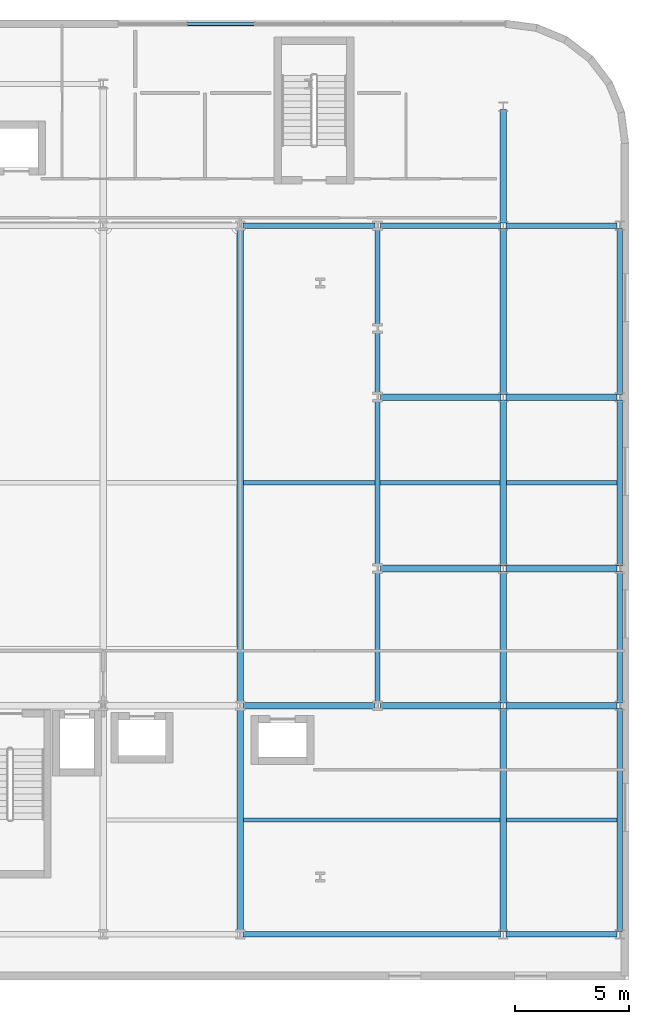
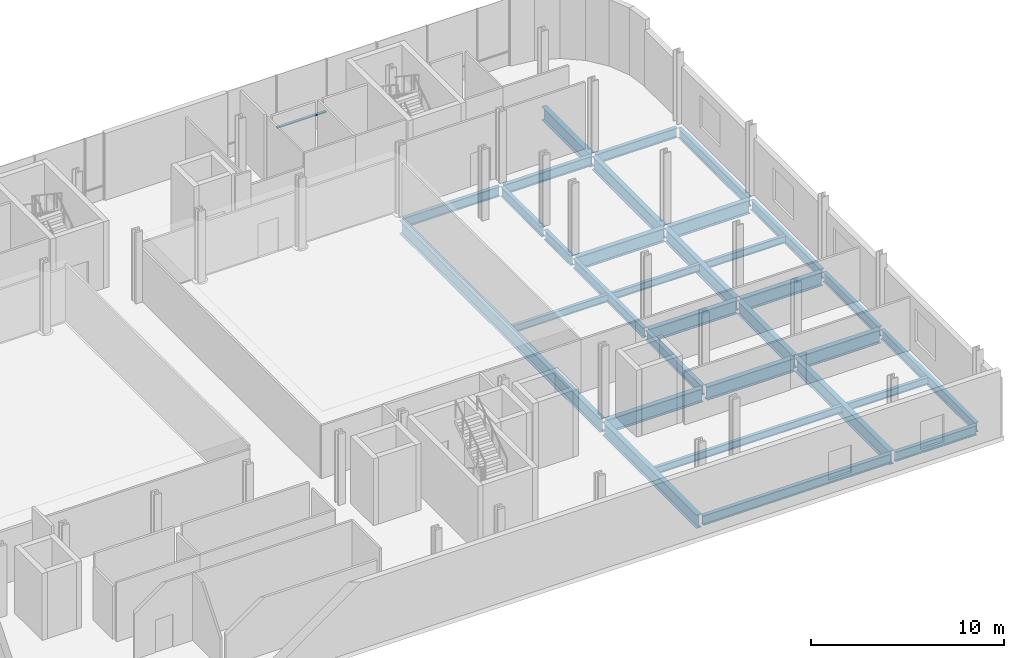
# One storey, part 12 of 25: 32 beams, 1 member, 1 element without a shape of its own.
"""IFC4 building model written with IfcOpenShell, lengths in metres."""

from ifc_helpers import new_model, si_unit, direction, frame, origin, origin_2d, place, context, subcontext, project, spatial, hollow_rectangle, i_section, extrude, material, layer, layer_set, material_profile, profile_set, type_object, element, aggregate, save


model = new_model("IFC4")

# Units and contexts
model_context = context("Model", 3, precision=1e-05, world=origin(), true_north=direction((0.0, 1.0)))
body_context = subcontext(model_context, "Body", "Model", "MODEL_VIEW")
ifc_project = project(units=[si_unit("LENGTHUNIT", "METRE"), si_unit("AREAUNIT", "SQUARE_METRE"), si_unit("VOLUMEUNIT", "CUBIC_METRE"), si_unit("PLANEANGLEUNIT", "RADIAN"), si_unit("MASSUNIT", "GRAM", prefix="KILO")], contexts=[model_context])

# Site, building, storey
site_placement = place(None, origin())
site = spatial("IfcSite", under=ifc_project, at=site_placement, CompositionType="ELEMENT")
building_placement = place(site_placement, origin())
building = spatial("IfcBuilding", under=site, at=building_placement, Name="Brevholm Reach", CompositionType="ELEMENT")
storey_placement = place(building_placement, frame((0.0, 0.0, 13.5)))
storey = spatial("IfcBuildingStorey", under=building, at=storey_placement, Name="L03", CompositionType="ELEMENT", Elevation=13.5)

# Beams
ifc_material_1 = material(Name="Structural Steel S355J2", Category="steel")
ifc_material_profile_1 = material_profile(ifc_material_1, i_section(OverallWidth=0.1904296875, OverallDepth=0.45703125, WebThickness=0.009033203125, FlangeThickness=0.014404296875, FilletRadius=0.01025390625, at=origin_2d()), Name="UKB 457x191x74")
ifc_profile_set_1 = profile_set([ifc_material_profile_1], Name="Structural Steel S355J2")
beam_type_1 = type_object("IfcBeamType", Name="BM-B457", PredefinedType="BEAM", material=ifc_profile_set_1)
beam_1_placement = place(storey_placement, frame((54.14697265625, 5.0, -0.508544921875), z_axis=(1.0, 0.0, 0.0), x_axis=(0.0, 1.0, 0.0)))
element("IfcBeam", 1, at=beam_1_placement, inside=storey, type_object=beam_type_1, Name="L03 Composite Secondary Floor Beam", PredefinedType="BEAM", context=body_context, shape_type="SweptSolid", body=[
    extrude(i_section(OverallWidth=0.1904296875, OverallDepth=0.45703125, WebThickness=0.009033203125, FlangeThickness=0.014404296875, FilletRadius=0.01025390625, at=origin_2d()), origin(), (0.0, 0.0, 1.0), 11.2060546875),
])
beam_2_placement = place(storey_placement, frame((65.64697265625, 5.0, -0.508544921875), z_axis=(1.0, 0.0, 0.0), x_axis=(0.0, 1.0, 0.0)))
element("IfcBeam", 2, at=beam_2_placement, inside=storey, type_object=beam_type_1, Name="L03 Composite Secondary Floor Beam", PredefinedType="BEAM", context=body_context, shape_type="SweptSolid", body=[
    extrude(i_section(OverallWidth=0.1904296875, OverallDepth=0.45703125, WebThickness=0.009033203125, FlangeThickness=0.014404296875, FilletRadius=0.01025390625, at=origin_2d()), origin(), (0.0, 0.0, 1.0), 4.838623046875),
])
beam_3_placement = place(storey_placement, frame((54.14697265625, 19.75, -0.508544921875), z_axis=(1.0, 0.0, 0.0), x_axis=(0.0, 1.0, 0.0)))
element("IfcBeam", 3, at=beam_3_placement, inside=storey, type_object=beam_type_1, Name="L03 Composite Secondary Floor Beam", PredefinedType="BEAM", context=body_context, shape_type="SweptSolid", body=[
    extrude(i_section(OverallWidth=0.1904296875, OverallDepth=0.45703125, WebThickness=0.009033203125, FlangeThickness=0.014404296875, FilletRadius=0.01025390625, at=origin_2d()), origin(), (0.0, 0.0, 1.0), 5.738525390625),
])
beam_4_placement = place(storey_placement, frame((60.114501953125, 19.75, -0.508544921875), z_axis=(1.0, 0.0, 0.0), x_axis=(0.0, 1.0, 0.0)))
element("IfcBeam", 4, at=beam_4_placement, inside=storey, type_object=beam_type_1, Name="L03 Composite Secondary Floor Beam", PredefinedType="BEAM", context=body_context, shape_type="SweptSolid", body=[
    extrude(i_section(OverallWidth=0.1904296875, OverallDepth=0.45703125, WebThickness=0.009033203125, FlangeThickness=0.014404296875, FilletRadius=0.01025390625, at=origin_2d()), origin(), (0.0, 0.0, 1.0), 5.238525390625),
])
beam_5_placement = place(storey_placement, frame((65.64697265625, 19.75, -0.508544921875), z_axis=(1.0, 0.0, 0.0), x_axis=(0.0, 1.0, 0.0)))
element("IfcBeam", 5, at=beam_5_placement, inside=storey, type_object=beam_type_1, Name="L03 Composite Secondary Floor Beam", PredefinedType="BEAM", context=body_context, shape_type="SweptSolid", body=[
    extrude(i_section(OverallWidth=0.1904296875, OverallDepth=0.45703125, WebThickness=0.009033203125, FlangeThickness=0.014404296875, FilletRadius=0.01025390625, at=origin_2d()), origin(), (0.0, 0.0, 1.0), 4.838623046875),
])
ifc_material_2 = material(Name="Structural Steel S355J2", Category="steel")
ifc_material_profile_2 = material_profile(ifc_material_2, i_section(OverallWidth=0.22900390625, OverallDepth=0.6123046875, WebThickness=0.011962890625, FlangeThickness=0.01953125, FilletRadius=0.0126953125, at=origin_2d()), Name="UKB 610x229x125")
ifc_profile_set_2 = profile_set([ifc_material_profile_2], Name="Structural Steel S355J2")
beam_type_2 = type_object("IfcBeamType", Name="BM-SP610", PredefinedType="SPANDREL", material=ifc_profile_set_2)
beam_6_placement = place(storey_placement, frame((54.1201171875, 0.0, -0.586181640625), z_axis=(1.0, 0.0, 0.0), x_axis=(0.0, 1.0, 0.0)))
element("IfcBeam", 6, at=beam_6_placement, inside=storey, type_object=beam_type_2, Name="L03 SP-01 Framing Beam", PredefinedType="SPANDREL", context=body_context, shape_type="SweptSolid", body=[
    extrude(i_section(OverallWidth=0.22900390625, OverallDepth=0.6123046875, WebThickness=0.011962890625, FlangeThickness=0.01953125, FilletRadius=0.0126953125, at=origin_2d()), origin(), (0.0, 0.0, 1.0), 11.259765625),
])
beam_7_placement = place(storey_placement, frame((65.6201171875, 0.0, -0.586181640625), z_axis=(1.0, 0.0, 0.0), x_axis=(0.0, 1.0, 0.0)))
element("IfcBeam", 7, at=beam_7_placement, inside=storey, type_object=beam_type_2, Name="L03 SP-01 Framing Beam", PredefinedType="SPANDREL", context=body_context, shape_type="SweptSolid", body=[
    extrude(i_section(OverallWidth=0.22900390625, OverallDepth=0.6123046875, WebThickness=0.011962890625, FlangeThickness=0.01953125, FilletRadius=0.0126953125, at=origin_2d()), origin(), (0.0, 0.0, 1.0), 4.85986328125),
])
beam_8_placement = place(storey_placement, frame((54.1201171875, 31.0, -0.586181640625), z_axis=(1.0, 0.0, 0.0), x_axis=(0.0, 1.0, 0.0)))
element("IfcBeam", 8, at=beam_8_placement, inside=storey, type_object=beam_type_2, Name="L03 SP-01 Framing Beam", PredefinedType="SPANDREL", context=body_context, shape_type="SweptSolid", body=[
    extrude(i_section(OverallWidth=0.22900390625, OverallDepth=0.6123046875, WebThickness=0.011962890625, FlangeThickness=0.01953125, FilletRadius=0.0126953125, at=origin_2d()), origin(), (0.0, 0.0, 1.0), 5.759765625),
])
beam_9_placement = place(storey_placement, frame((60.1201171875, 31.0, -0.586181640625), z_axis=(1.0, 0.0, 0.0), x_axis=(0.0, 1.0, 0.0)))
element("IfcBeam", 9, at=beam_9_placement, inside=storey, type_object=beam_type_2, Name="L03 SP-01 Framing Beam", PredefinedType="SPANDREL", context=body_context, shape_type="SweptSolid", body=[
    extrude(i_section(OverallWidth=0.22900390625, OverallDepth=0.6123046875, WebThickness=0.011962890625, FlangeThickness=0.01953125, FilletRadius=0.0126953125, at=origin_2d()), origin(), (0.0, 0.0, 1.0), 5.259765625),
])
beam_10_placement = place(storey_placement, frame((65.6201171875, 31.0, -0.586181640625), z_axis=(1.0, 0.0, 0.0), x_axis=(0.0, 1.0, 0.0)))
element("IfcBeam", 10, at=beam_10_placement, inside=storey, type_object=beam_type_2, Name="L03 SP-01 Framing Beam", PredefinedType="SPANDREL", context=body_context, shape_type="SweptSolid", body=[
    extrude(i_section(OverallWidth=0.22900390625, OverallDepth=0.6123046875, WebThickness=0.011962890625, FlangeThickness=0.01953125, FilletRadius=0.0126953125, at=origin_2d()), origin(), (0.0, 0.0, 1.0), 4.85986328125),
])
beam_11_placement = place(storey_placement, frame((60.0, 10.1201171875, -0.586181640625), z_axis=(0.0, 1.0, 0.0), x_axis=(-1.0, 0.0, 0.0)))
element("IfcBeam", 11, at=beam_11_placement, inside=storey, type_object=beam_type_2, Name="L03 SP-01 Framing Beam", PredefinedType="SPANDREL", context=body_context, shape_type="SweptSolid", body=[
    extrude(i_section(OverallWidth=0.22900390625, OverallDepth=0.6123046875, WebThickness=0.011962890625, FlangeThickness=0.01953125, FilletRadius=0.0126953125, at=origin_2d()), origin(), (0.0, 0.0, 1.0), 5.759765625),
])
beam_12_placement = place(storey_placement, frame((60.0, 16.1201171875, -0.586181640625), z_axis=(0.0, 1.0, 0.0), x_axis=(-1.0, 0.0, 0.0)))
element("IfcBeam", 12, at=beam_12_placement, inside=storey, type_object=beam_type_2, Name="L03 SP-01 Framing Beam", PredefinedType="SPANDREL", context=body_context, shape_type="SweptSolid", body=[
    extrude(i_section(OverallWidth=0.22900390625, OverallDepth=0.6123046875, WebThickness=0.011962890625, FlangeThickness=0.01953125, FilletRadius=0.0126953125, at=origin_2d()), origin(), (0.0, 0.0, 1.0), 7.259765625),
])
beam_13_placement = place(storey_placement, frame((60.0, 23.6201171875, -0.586181640625), z_axis=(0.0, 1.0, 0.0), x_axis=(-1.0, 0.0, 0.0)))
element("IfcBeam", 13, at=beam_13_placement, inside=storey, type_object=beam_type_2, Name="L03 SP-01 Framing Beam", PredefinedType="SPANDREL", context=body_context, shape_type="SweptSolid", body=[
    extrude(i_section(OverallWidth=0.22900390625, OverallDepth=0.6123046875, WebThickness=0.011962890625, FlangeThickness=0.01953125, FilletRadius=0.0126953125, at=origin_2d()), origin(), (0.0, 0.0, 1.0), 2.759765625),
])
beam_14_placement = place(storey_placement, frame((60.0, 26.6201171875, -0.586181640625), z_axis=(0.0, 1.0, 0.0), x_axis=(-1.0, 0.0, 0.0)))
element("IfcBeam", 14, at=beam_14_placement, inside=storey, type_object=beam_type_2, Name="L03 SP-01 Framing Beam", PredefinedType="SPANDREL", context=body_context, shape_type="SweptSolid", body=[
    extrude(i_section(OverallWidth=0.22900390625, OverallDepth=0.6123046875, WebThickness=0.011962890625, FlangeThickness=0.01953125, FilletRadius=0.0126953125, at=origin_2d()), origin(), (0.0, 0.0, 1.0), 4.259765625),
])
beam_15_placement = place(storey_placement, frame((70.60009765625, 0.1201171875, -0.586181640625), z_axis=(0.0, 1.0, 0.0), x_axis=(-1.0, 0.0, 0.0)))
element("IfcBeam", 15, at=beam_15_placement, inside=storey, type_object=beam_type_2, Name="L03 SP-01 Framing Beam", PredefinedType="SPANDREL", context=body_context, shape_type="SweptSolid", body=[
    extrude(i_section(OverallWidth=0.22900390625, OverallDepth=0.6123046875, WebThickness=0.011962890625, FlangeThickness=0.01953125, FilletRadius=0.0126953125, at=origin_2d()), origin(), (0.0, 0.0, 1.0), 9.759765625),
])
beam_16_placement = place(storey_placement, frame((70.60009765625, 10.1201171875, -0.586181640625), z_axis=(0.0, 1.0, 0.0), x_axis=(-1.0, 0.0, 0.0)))
element("IfcBeam", 16, at=beam_16_placement, inside=storey, type_object=beam_type_2, Name="L03 SP-01 Framing Beam", PredefinedType="SPANDREL", context=body_context, shape_type="SweptSolid", body=[
    extrude(i_section(OverallWidth=0.22900390625, OverallDepth=0.6123046875, WebThickness=0.011962890625, FlangeThickness=0.01953125, FilletRadius=0.0126953125, at=origin_2d()), origin(), (0.0, 0.0, 1.0), 5.759765625),
])
for number, where, z_axis, x_axis, name in (
    (17, (70.60009765625, 16.1201171875, -0.586181640625), (0.0, 1.0, 0.0), (-1.0, 0.0, 0.0), "L03 SP-01 Framing Beam"),
    (18, (70.60009765625, 23.6201171875, -0.586181640625), (0.0, 1.0, 0.0), (-1.0, 0.0, 0.0), "L03 SP-01 Framing Beam"),
):
    element("IfcBeam", number, at=place(storey_placement, frame(where, z_axis=z_axis, x_axis=x_axis)), inside=storey, type_object=beam_type_2, Name=name, PredefinedType="SPANDREL", context=body_context, shape_type="SweptSolid", body=[
        extrude(i_section(OverallWidth=0.22900390625, OverallDepth=0.6123046875, WebThickness=0.011962890625, FlangeThickness=0.01953125, FilletRadius=0.0126953125, at=origin_2d()), origin(), (0.0, 0.0, 1.0), 7.259765625),
    ])
ifc_material_3 = material(Name="Structural Steel S355J2", Category="steel")
ifc_material_profile_3 = material_profile(ifc_material_3, i_section(OverallWidth=0.293701171875, OverallDepth=0.850830078125, WebThickness=0.01611328125, FlangeThickness=0.02685546875, FilletRadius=0.017822265625, at=origin_2d()), Name="UKB 838x292x226")
ifc_profile_set_3 = profile_set([ifc_material_profile_3], Name="Structural Steel S355J2")
beam_type_3 = type_object("IfcBeamType", Name="BM-UKB838", PredefinedType="USERDEFINED", material=ifc_profile_set_3)
beam_17_placement = place(storey_placement, frame((54.1201171875, 10.0, -0.70556640625), z_axis=(1.0, 0.0, 0.0), x_axis=(0.0, 1.0, 0.0)))
element("IfcBeam", 19, at=beam_17_placement, inside=storey, type_object=beam_type_3, Name="L03 G-03 Framing Beam", ObjectType="GIRDER", PredefinedType="USERDEFINED", context=body_context, shape_type="SweptSolid", body=[
    extrude(i_section(OverallWidth=0.293701171875, OverallDepth=0.850830078125, WebThickness=0.01611328125, FlangeThickness=0.02685546875, FilletRadius=0.017822265625, at=origin_2d()), origin(), (0.0, 0.0, 1.0), 5.759765625),
])
beam_18_placement = place(storey_placement, frame((60.1201171875, 10.0, -0.70556640625), z_axis=(1.0, 0.0, 0.0), x_axis=(0.0, 1.0, 0.0)))
element("IfcBeam", 20, at=beam_18_placement, inside=storey, type_object=beam_type_3, Name="L03 G-03 Framing Beam", ObjectType="GIRDER", PredefinedType="USERDEFINED", context=body_context, shape_type="SweptSolid", body=[
    extrude(i_section(OverallWidth=0.293701171875, OverallDepth=0.850830078125, WebThickness=0.01611328125, FlangeThickness=0.02685546875, FilletRadius=0.017822265625, at=origin_2d()), origin(), (0.0, 0.0, 1.0), 5.259765625),
])
beam_19_placement = place(storey_placement, frame((65.6201171875, 10.0, -0.70556640625), z_axis=(1.0, 0.0, 0.0), x_axis=(0.0, 1.0, 0.0)))
element("IfcBeam", 21, at=beam_19_placement, inside=storey, type_object=beam_type_3, Name="L03 G-03 Framing Beam", ObjectType="GIRDER", PredefinedType="USERDEFINED", context=body_context, shape_type="SweptSolid", body=[
    extrude(i_section(OverallWidth=0.293701171875, OverallDepth=0.850830078125, WebThickness=0.01611328125, FlangeThickness=0.02685546875, FilletRadius=0.017822265625, at=origin_2d()), origin(), (0.0, 0.0, 1.0), 4.85986328125),
])
beam_20_placement = place(storey_placement, frame((60.1201171875, 16.0, -0.70556640625), z_axis=(1.0, 0.0, 0.0), x_axis=(0.0, 1.0, 0.0)))
element("IfcBeam", 22, at=beam_20_placement, inside=storey, type_object=beam_type_3, Name="L03 G-03 Framing Beam", ObjectType="GIRDER", PredefinedType="USERDEFINED", context=body_context, shape_type="SweptSolid", body=[
    extrude(i_section(OverallWidth=0.293701171875, OverallDepth=0.850830078125, WebThickness=0.01611328125, FlangeThickness=0.02685546875, FilletRadius=0.017822265625, at=origin_2d()), origin(), (0.0, 0.0, 1.0), 5.259765625),
])
beam_21_placement = place(storey_placement, frame((65.6201171875, 16.0, -0.70556640625), z_axis=(1.0, 0.0, 0.0), x_axis=(0.0, 1.0, 0.0)))
element("IfcBeam", 23, at=beam_21_placement, inside=storey, type_object=beam_type_3, Name="L03 G-03 Framing Beam", ObjectType="GIRDER", PredefinedType="USERDEFINED", context=body_context, shape_type="SweptSolid", body=[
    extrude(i_section(OverallWidth=0.293701171875, OverallDepth=0.850830078125, WebThickness=0.01611328125, FlangeThickness=0.02685546875, FilletRadius=0.017822265625, at=origin_2d()), origin(), (0.0, 0.0, 1.0), 4.85986328125),
])
beam_22_placement = place(storey_placement, frame((60.1201171875, 23.5, -0.70556640625), z_axis=(1.0, 0.0, 0.0), x_axis=(0.0, 1.0, 0.0)))
element("IfcBeam", 24, at=beam_22_placement, inside=storey, type_object=beam_type_3, Name="L03 G-03 Framing Beam", ObjectType="GIRDER", PredefinedType="USERDEFINED", context=body_context, shape_type="SweptSolid", body=[
    extrude(i_section(OverallWidth=0.293701171875, OverallDepth=0.850830078125, WebThickness=0.01611328125, FlangeThickness=0.02685546875, FilletRadius=0.017822265625, at=origin_2d()), origin(), (0.0, 0.0, 1.0), 5.259765625),
])
beam_23_placement = place(storey_placement, frame((65.6201171875, 23.5, -0.70556640625), z_axis=(1.0, 0.0, 0.0), x_axis=(0.0, 1.0, 0.0)))
element("IfcBeam", 25, at=beam_23_placement, inside=storey, type_object=beam_type_3, Name="L03 G-03 Framing Beam", ObjectType="GIRDER", PredefinedType="USERDEFINED", context=body_context, shape_type="SweptSolid", body=[
    extrude(i_section(OverallWidth=0.293701171875, OverallDepth=0.850830078125, WebThickness=0.01611328125, FlangeThickness=0.02685546875, FilletRadius=0.017822265625, at=origin_2d()), origin(), (0.0, 0.0, 1.0), 4.85986328125),
])
beam_24_placement = place(storey_placement, frame((54.0, 0.1201171875, -0.70556640625), z_axis=(0.0, 1.0, 0.0), x_axis=(-1.0, 0.0, 0.0)))
element("IfcBeam", 26, at=beam_24_placement, inside=storey, type_object=beam_type_3, Name="L03 G-03 Framing Beam", ObjectType="GIRDER", PredefinedType="USERDEFINED", context=body_context, shape_type="SweptSolid", body=[
    extrude(i_section(OverallWidth=0.293701171875, OverallDepth=0.850830078125, WebThickness=0.01611328125, FlangeThickness=0.02685546875, FilletRadius=0.017822265625, at=origin_2d()), origin(), (0.0, 0.0, 1.0), 9.759765625),
])
beam_25_placement = place(storey_placement, frame((54.0, 10.1201171875, -0.70556640625), z_axis=(0.0, 1.0, 0.0), x_axis=(-1.0, 0.0, 0.0)))
element("IfcBeam", 27, at=beam_25_placement, inside=storey, type_object=beam_type_3, Name="L03 G-03 Framing Beam", ObjectType="GIRDER", PredefinedType="USERDEFINED", context=body_context, shape_type="SweptSolid", body=[
    extrude(i_section(OverallWidth=0.293701171875, OverallDepth=0.850830078125, WebThickness=0.01611328125, FlangeThickness=0.02685546875, FilletRadius=0.017822265625, at=origin_2d()), origin(), (0.0, 0.0, 1.0), 20.759765625),
])
beam_26_placement = place(storey_placement, frame((65.5, 0.1201171875, -0.70556640625), z_axis=(0.0, 1.0, 0.0), x_axis=(-1.0, 0.0, 0.0)))
element("IfcBeam", 28, at=beam_26_placement, inside=storey, type_object=beam_type_3, Name="L03 G-03 Framing Beam", ObjectType="GIRDER", PredefinedType="USERDEFINED", context=body_context, shape_type="SweptSolid", body=[
    extrude(i_section(OverallWidth=0.293701171875, OverallDepth=0.850830078125, WebThickness=0.01611328125, FlangeThickness=0.02685546875, FilletRadius=0.017822265625, at=origin_2d()), origin(), (0.0, 0.0, 1.0), 9.759765625),
])
beam_27_placement = place(storey_placement, frame((65.5, 10.1201171875, -0.70556640625), z_axis=(0.0, 1.0, 0.0), x_axis=(-1.0, 0.0, 0.0)))
element("IfcBeam", 29, at=beam_27_placement, inside=storey, type_object=beam_type_3, Name="L03 G-03 Framing Beam", ObjectType="GIRDER", PredefinedType="USERDEFINED", context=body_context, shape_type="SweptSolid", body=[
    extrude(i_section(OverallWidth=0.293701171875, OverallDepth=0.850830078125, WebThickness=0.01611328125, FlangeThickness=0.02685546875, FilletRadius=0.017822265625, at=origin_2d()), origin(), (0.0, 0.0, 1.0), 5.759765625),
])
for number, where, z_axis, x_axis, name in (
    (30, (65.5, 16.1201171875, -0.70556640625), (0.0, 1.0, 0.0), (-1.0, 0.0, 0.0), "L03 G-03 Framing Beam"),
    (31, (65.5, 23.6201171875, -0.70556640625), (0.0, 1.0, 0.0), (-1.0, 0.0, 0.0), "L03 G-03 Framing Beam"),
):
    element("IfcBeam", number, at=place(storey_placement, frame(where, z_axis=z_axis, x_axis=x_axis)), inside=storey, type_object=beam_type_3, Name=name, ObjectType="GIRDER", PredefinedType="USERDEFINED", context=body_context, shape_type="SweptSolid", body=[
        extrude(i_section(OverallWidth=0.293701171875, OverallDepth=0.850830078125, WebThickness=0.01611328125, FlangeThickness=0.02685546875, FilletRadius=0.017822265625, at=origin_2d()), origin(), (0.0, 0.0, 1.0), 7.259765625),
    ])
beam_28_placement = place(storey_placement, frame((65.5, 31.1201171875, -0.70556640625), z_axis=(0.0, 1.0, 0.0), x_axis=(-1.0, 0.0, 0.0)))
element("IfcBeam", 32, at=beam_28_placement, inside=storey, type_object=beam_type_3, Name="L03 G-03 Framing Beam", ObjectType="GIRDER", PredefinedType="USERDEFINED", context=body_context, shape_type="SweptSolid", body=[
    extrude(i_section(OverallWidth=0.293701171875, OverallDepth=0.850830078125, WebThickness=0.01611328125, FlangeThickness=0.02685546875, FilletRadius=0.017822265625, at=origin_2d()), origin(), (0.0, 0.0, 1.0), 4.9599609375),
])

# Curtain wall, member
ifc_material_4 = material(Name="Dark Anodised Aluminium 6063-T6 and Solar-Control Glass", Category="aluminium")
ifc_layer = layer(ifc_material_4, 0.1650390625)
ifc_layer_set = layer_set([ifc_layer], Name="Dark Anodised Aluminium 6063-T6 and Solar-Control Glass")
curtain_wall_type = type_object("IfcCurtainWallType", Name="CW-03", PredefinedType="NOTDEFINED", material=ifc_layer_set)
curtain_wall_placement = place(storey_placement, origin())
curtain_wall = element("IfcCurtainWall", 33, at=curtain_wall_placement, inside=storey, type_object=curtain_wall_type, Name="L03 Curtain Wall CW-03", PredefinedType="NOTDEFINED")
ifc_material_5 = material(Name="Dark Anodised Aluminium 6063-T6", Category="aluminium")
ifc_material_profile_4 = material_profile(ifc_material_5, hollow_rectangle(XDim=0.070068359375, YDim=0.1650390625, WallThickness=0.0048828125, InnerFilletRadius=0.0048828125, OuterFilletRadius=0.010009765625, at=origin_2d()), Name="RHS 165x70x5")
ifc_profile_set_4 = profile_set([ifc_material_profile_4], Name="Dark Anodised Aluminium 6063-T6")
member_type = type_object("IfcMemberType", Name="CWT-165", PredefinedType="NOTDEFINED", material=ifc_profile_set_4)
member_placement = place(storey_placement, frame((51.68505859375, 39.830078125, 0.89990234375), z_axis=(1.0, 0.0, 0.0), x_axis=(0.0, 0.0, 1.0)))
member = element("IfcMember", 34, at=member_placement, type_object=member_type, Name="CT-165 Transom 2.1", ObjectType="TRANSOM", PredefinedType="USERDEFINED", context=body_context, shape_type="SweptSolid", body=[
    extrude(hollow_rectangle(XDim=0.070068359375, YDim=0.1650390625, WallThickness=0.0048828125, InnerFilletRadius=0.0048828125, OuterFilletRadius=0.010009765625, at=origin_2d()), origin(), (0.0, 0.0, 1.0), 2.929931640625),
])
aggregate(curtain_wall, [member])

save(model, "model.ifc")
